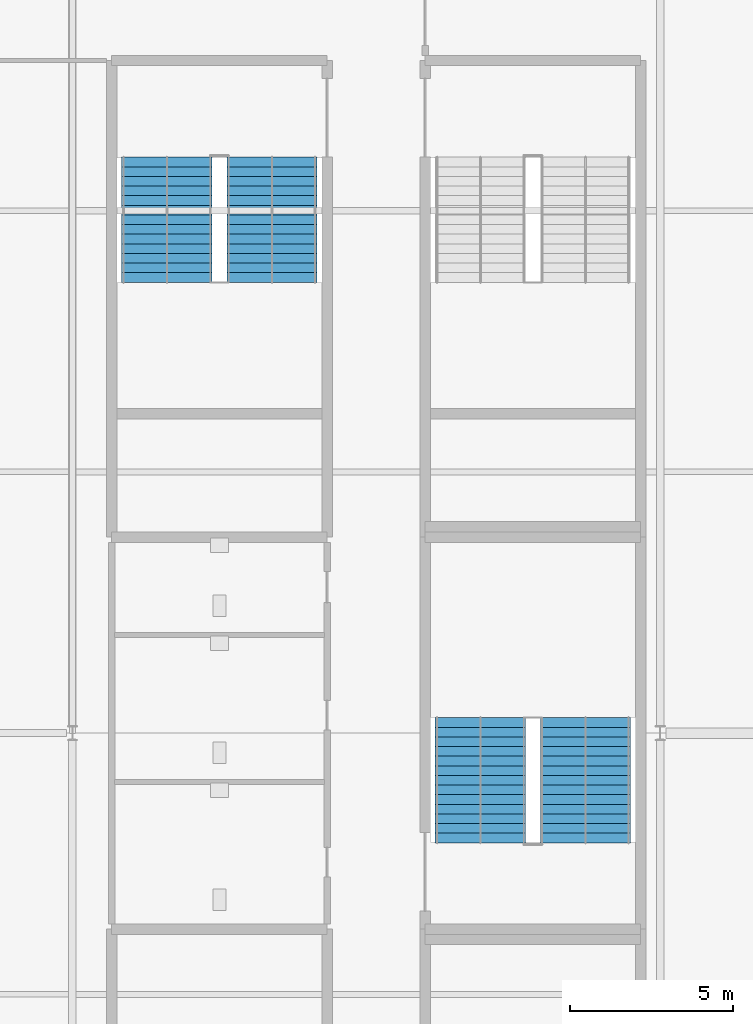
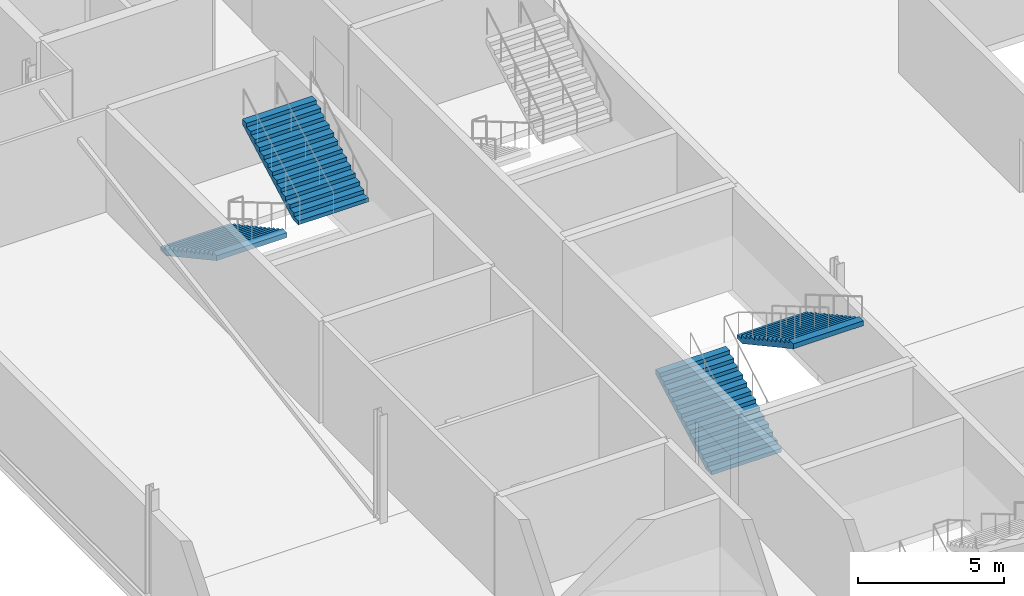
# One storey, part 61 of 73: 4 stair flights, 2 elements without a shape of their own.
"""IFC4 building model written with IfcOpenShell, lengths in metres."""

from ifc_helpers import new_model, si_unit, direction, frame, origin, place, context, subcontext, project, spatial, polygons, material, type_object, element, aggregate, save


model = new_model("IFC4")

# Units and contexts
model_context = context("Model", 3, precision=1e-05, world=origin(), true_north=direction((0.0, 1.0)))
body_context = subcontext(model_context, "Body", "Model", "MODEL_VIEW")
ifc_project = project(units=[si_unit("LENGTHUNIT", "METRE"), si_unit("AREAUNIT", "SQUARE_METRE"), si_unit("VOLUMEUNIT", "CUBIC_METRE"), si_unit("PLANEANGLEUNIT", "RADIAN"), si_unit("MASSUNIT", "GRAM", prefix="KILO")], contexts=[model_context])

# Site, building, storey
site_placement = place(None, origin())
site = spatial("IfcSite", under=ifc_project, at=site_placement, CompositionType="ELEMENT")
building_placement = place(site_placement, origin())
building = spatial("IfcBuilding", under=site, at=building_placement, Name="Kisiwana Market Hall", CompositionType="ELEMENT")
storey_placement = place(building_placement, frame((0.0, 0.0, 33.300048828125)))
storey = spatial("IfcBuildingStorey", under=building, at=storey_placement, Name="L07", CompositionType="ELEMENT", Elevation=33.300048828125)

# Stair, stair flights
ifc_material_1 = material(Name="Concrete C32/40", Category="concrete")
stair_type = type_object("IfcStairType", Name="ST-ESC-4500", PredefinedType="TWO_STRAIGHT_RUN_STAIR", material=ifc_material_1)
stair_1_placement = place(storey_placement, origin())
stair_1 = element("IfcStair", 1, at=stair_1_placement, inside=storey, type_object=stair_type, Name="Escape stair ST-W4-L07", PredefinedType="TWO_STRAIGHT_RUN_STAIR")
ifc_material_2 = material(Name="Concrete C32/40", Category="concrete")
stair_flight_type = type_object("IfcStairFlightType", Name="SF-ESC-4500", PredefinedType="STRAIGHT", material=ifc_material_2)
stair_flight_1_placement = place(storey_placement, frame((11.889892578125, 77.639892578125, 0.0), z_axis=(0.0, 0.0, 1.0), x_axis=(0.0, -1.0, 0.0)))
stair_flight_1 = element("IfcStairFlight", 2, at=stair_flight_1_placement, type_object=stair_flight_type, Name="ST-W4-L07 flight 1", NumberOfRisers=14, NumberOfTreads=13, PredefinedType="STRAIGHT", RiserHeight=0.160714, TreadLength=0.295, context=body_context, shape_type="Tessellation", body=[
    polygons([(0.0, -1.380127, 0.0), (0.0, -0.690125, 0.0), (0.0, -0.000122, 0.0), (0.0, 0.68988, 0.0), (0.0, 1.379883, 0.0), (0.0, -1.380127, 0.160645), (0.0, -0.690125, 0.160645), (0.0, -0.000122, 0.160645), (0.0, 0.68988, 0.160645), (0.0, 1.379883, 0.160645), (0.294922, -1.380127, 0.160645), (0.294922, -0.690125, 0.160645), (0.294922, -0.000122, 0.160645), (0.294922, 0.68988, 0.160645), (0.294922, 1.379883, 0.160645), (0.294922, -1.380127, 0.321533), (0.294922, -0.690125, 0.321533), (0.294922, -0.000122, 0.321533), (0.294922, 0.68988, 0.321533), (0.294922, 1.379883, 0.321533), (0.590088, -1.380127, 0.321533), (0.590088, -0.690125, 0.321533), (0.590088, -0.000122, 0.321533), (0.590088, 0.68988, 0.321533), (0.590088, 1.379883, 0.321533), (0.590088, -1.380127, 0.482178), (0.590088, -0.690125, 0.482178), (0.590088, -0.000122, 0.482178), (0.590088, 0.68988, 0.482178), (0.590088, 1.379883, 0.482178), (0.88501, -1.380127, 0.482178), (0.88501, -0.690125, 0.482178), (0.88501, -0.000122, 0.482178), (0.88501, 0.68988, 0.482178), (0.88501, 1.379883, 0.482178), (0.88501, -1.380127, 0.642822), (0.88501, -0.690125, 0.642822), (0.88501, -0.000122, 0.642822), (0.88501, 0.68988, 0.642822), (0.88501, 1.379883, 0.642822), (1.179932, -1.380127, 0.642822), (1.179932, -0.690125, 0.642822), (1.179932, -0.000122, 0.642822), (1.179932, 0.68988, 0.642822), (1.179932, 1.379883, 0.642822), (1.179932, -1.380127, 0.803467), (1.179932, -0.690125, 0.803467), (1.179932, -0.000122, 0.803467), (1.179932, 0.68988, 0.803467), (1.179932, 1.379883, 0.803467), (1.475098, -1.380127, 0.803467), (1.475098, -0.690125, 0.803467), (1.475098, -0.000122, 0.803467), (1.475098, 0.68988, 0.803467), (1.475098, 1.379883, 0.803467), (1.475098, -1.380127, 0.964355), (1.475098, -0.690125, 0.964355), (1.475098, -0.000122, 0.964355), (1.475098, 0.68988, 0.964355), (1.475098, 1.379883, 0.964355), (1.77002, -1.380127, 0.964355), (1.77002, -0.690125, 0.964355), (1.77002, -0.000122, 0.964355), (1.77002, 0.68988, 0.964355), (1.77002, 1.379883, 0.964355), (1.77002, -1.380127, 1.125), (1.77002, -0.690125, 1.125), (1.77002, -0.000122, 1.125), (1.77002, 0.68988, 1.125), (1.77002, 1.379883, 1.125), (2.064941, -1.380127, 1.125), (2.064941, -0.690125, 1.125), (2.064941, -0.000122, 1.125), (2.064941, 0.68988, 1.125), (2.064941, 1.379883, 1.125), (2.064941, -1.380127, 1.285645), (2.064941, -0.690125, 1.285645), (2.064941, -0.000122, 1.285645), (2.064941, 0.68988, 1.285645), (2.064941, 1.379883, 1.285645), (2.360107, -1.380127, 1.285645), (2.360107, -0.690125, 1.285645), (2.360107, -0.000122, 1.285645), (2.360107, 0.68988, 1.285645), (2.360107, 1.379883, 1.285645), (2.360107, -1.380127, 1.446533), (2.360107, -0.690125, 1.446533), (2.360107, -0.000122, 1.446533), (2.360107, 0.68988, 1.446533), (2.360107, 1.379883, 1.446533), (2.655029, -1.380127, 1.446533), (2.655029, -0.690125, 1.446533), (2.655029, -0.000122, 1.446533), (2.655029, 0.68988, 1.446533), (2.655029, 1.379883, 1.446533), (2.655029, -1.380127, 1.607178), (2.655029, -0.690125, 1.607178), (2.655029, -0.000122, 1.607178), (2.655029, 0.68988, 1.607178), (2.655029, 1.379883, 1.607178), (2.949951, -1.380127, 1.607178), (2.949951, -0.690125, 1.607178), (2.949951, -0.000122, 1.607178), (2.949951, 0.68988, 1.607178), (2.949951, 1.379883, 1.607178), (2.949951, -1.380127, 1.767822), (2.949951, -0.690125, 1.767822), (2.949951, -0.000122, 1.767822), (2.949951, 0.68988, 1.767822), (2.949951, 1.379883, 1.767822), (3.245117, -1.380127, 1.767822), (3.245117, -0.690125, 1.767822), (3.245117, -0.000122, 1.767822), (3.245117, 0.68988, 1.767822), (3.245117, 1.379883, 1.767822), (3.245117, -1.380127, 1.928467), (3.245117, -0.690125, 1.928467), (3.245117, -0.000122, 1.928467), (3.245117, 0.68988, 1.928467), (3.245117, 1.379883, 1.928467), (3.540039, -1.380127, 1.928467), (3.540039, -0.690125, 1.928467), (3.540039, -0.000122, 1.928467), (3.540039, 0.68988, 1.928467), (3.540039, 1.379883, 1.928467), (3.540039, -1.380127, 2.089355), (3.540039, -0.690125, 2.089355), (3.540039, -0.000122, 2.089355), (3.540039, 0.68988, 2.089355), (3.540039, 1.379883, 2.089355), (3.834961, -1.380127, 2.089355), (3.834961, -0.690125, 2.089355), (3.834961, -0.000122, 2.089355), (3.834961, 0.68988, 2.089355), (3.834961, 1.379883, 2.089355), (3.834961, -1.380127, 1.884277), (3.834961, -0.690125, 1.884277), (3.834961, -0.000122, 1.884277), (3.834961, 0.68988, 1.884277), (3.834961, 1.379883, 1.884277), (0.376221, -1.380127, 0.0), (0.376221, -0.690125, 0.0), (0.376221, -0.000122, 0.0), (0.376221, 0.68988, 0.0), (0.376221, 1.379883, 0.0)], [[[1, 6, 7, 2]], [[2, 7, 8, 3]], [[3, 8, 9, 4]], [[4, 9, 10, 5]], [[6, 11, 12, 7]], [[7, 12, 13, 8]], [[8, 13, 14, 9]], [[9, 14, 15, 10]], [[11, 16, 17, 12]], [[12, 17, 18, 13]], [[13, 18, 19, 14]], [[14, 19, 20, 15]], [[16, 21, 22, 17]], [[17, 22, 23, 18]], [[18, 23, 24, 19]], [[19, 24, 25, 20]], [[21, 26, 27, 22]], [[22, 27, 28, 23]], [[23, 28, 29, 24]], [[24, 29, 30, 25]], [[26, 31, 32, 27]], [[27, 32, 33, 28]], [[28, 33, 34, 29]], [[29, 34, 35, 30]], [[31, 36, 37, 32]], [[32, 37, 38, 33]], [[33, 38, 39, 34]], [[34, 39, 40, 35]], [[36, 41, 42, 37]], [[37, 42, 43, 38]], [[38, 43, 44, 39]], [[39, 44, 45, 40]], [[41, 46, 47, 42]], [[42, 47, 48, 43]], [[43, 48, 49, 44]], [[44, 49, 50, 45]], [[46, 51, 52, 47]], [[47, 52, 53, 48]], [[48, 53, 54, 49]], [[49, 54, 55, 50]], [[51, 56, 57, 52]], [[52, 57, 58, 53]], [[53, 58, 59, 54]], [[54, 59, 60, 55]], [[56, 61, 62, 57]], [[57, 62, 63, 58]], [[58, 63, 64, 59]], [[59, 64, 65, 60]], [[61, 66, 67, 62]], [[62, 67, 68, 63]], [[63, 68, 69, 64]], [[64, 69, 70, 65]], [[66, 71, 72, 67]], [[67, 72, 73, 68]], [[68, 73, 74, 69]], [[69, 74, 75, 70]], [[71, 76, 77, 72]], [[72, 77, 78, 73]], [[73, 78, 79, 74]], [[74, 79, 80, 75]], [[76, 81, 82, 77]], [[77, 82, 83, 78]], [[78, 83, 84, 79]], [[79, 84, 85, 80]], [[81, 86, 87, 82]], [[82, 87, 88, 83]], [[83, 88, 89, 84]], [[84, 89, 90, 85]], [[86, 91, 92, 87]], [[87, 92, 93, 88]], [[88, 93, 94, 89]], [[89, 94, 95, 90]], [[91, 96, 97, 92]], [[92, 97, 98, 93]], [[93, 98, 99, 94]], [[94, 99, 100, 95]], [[96, 101, 102, 97]], [[97, 102, 103, 98]], [[98, 103, 104, 99]], [[99, 104, 105, 100]], [[101, 106, 107, 102]], [[102, 107, 108, 103]], [[103, 108, 109, 104]], [[104, 109, 110, 105]], [[106, 111, 112, 107]], [[107, 112, 113, 108]], [[108, 113, 114, 109]], [[109, 114, 115, 110]], [[111, 116, 117, 112]], [[112, 117, 118, 113]], [[113, 118, 119, 114]], [[114, 119, 120, 115]], [[116, 121, 122, 117]], [[117, 122, 123, 118]], [[118, 123, 124, 119]], [[119, 124, 125, 120]], [[121, 126, 127, 122]], [[122, 127, 128, 123]], [[123, 128, 129, 124]], [[124, 129, 130, 125]], [[126, 131, 132, 127]], [[127, 132, 133, 128]], [[128, 133, 134, 129]], [[129, 134, 135, 130]], [[131, 136, 137, 132]], [[132, 137, 138, 133]], [[133, 138, 139, 134]], [[134, 139, 140, 135]], [[136, 141, 142, 137]], [[137, 142, 143, 138]], [[138, 143, 144, 139]], [[139, 144, 145, 140]], [[141, 1, 2, 142]], [[142, 2, 3, 143]], [[143, 3, 4, 144]], [[144, 4, 5, 145]], [[141, 136, 131, 126, 121, 116, 111, 106, 101, 96, 91, 86, 81, 76, 71, 66, 61, 56, 51, 46, 41, 36, 31, 26, 21, 16, 11, 6, 1]], [[5, 10, 15, 20, 25, 30, 35, 40, 45, 50, 55, 60, 65, 70, 75, 80, 85, 90, 95, 100, 105, 110, 115, 120, 125, 130, 135, 140, 145]]], closed=True),
])
stair_flight_2_placement = place(storey_placement, frame((15.110107421875, 73.804931640625, 2.25), z_axis=(0.0, 0.0, 1.0), x_axis=(0.0, 1.0, 0.0)))
stair_flight_2 = element("IfcStairFlight", 3, at=stair_flight_2_placement, type_object=stair_flight_type, Name="ST-W4-L07 flight 2", NumberOfRisers=14, NumberOfTreads=13, PredefinedType="STRAIGHT", RiserHeight=0.160714, TreadLength=0.295, context=body_context, shape_type="Tessellation", body=[
    polygons([(0.0, -1.380127, 0.0), (0.0, -0.690125, 0.0), (0.0, -0.000122, 0.0), (0.0, 0.68988, 0.0), (0.0, 1.379883, 0.0), (0.0, -1.380127, 0.160645), (0.0, -0.690125, 0.160645), (0.0, -0.000122, 0.160645), (0.0, 0.68988, 0.160645), (0.0, 1.379883, 0.160645), (0.294922, -1.380127, 0.160645), (0.294922, -0.690125, 0.160645), (0.294922, -0.000122, 0.160645), (0.294922, 0.68988, 0.160645), (0.294922, 1.379883, 0.160645), (0.294922, -1.380127, 0.321533), (0.294922, -0.690125, 0.321533), (0.294922, -0.000122, 0.321533), (0.294922, 0.68988, 0.321533), (0.294922, 1.379883, 0.321533), (0.590088, -1.380127, 0.321533), (0.590088, -0.690125, 0.321533), (0.590088, -0.000122, 0.321533), (0.590088, 0.68988, 0.321533), (0.590088, 1.379883, 0.321533), (0.590088, -1.380127, 0.482178), (0.590088, -0.690125, 0.482178), (0.590088, -0.000122, 0.482178), (0.590088, 0.68988, 0.482178), (0.590088, 1.379883, 0.482178), (0.88501, -1.380127, 0.482178), (0.88501, -0.690125, 0.482178), (0.88501, -0.000122, 0.482178), (0.88501, 0.68988, 0.482178), (0.88501, 1.379883, 0.482178), (0.88501, -1.380127, 0.642822), (0.88501, -0.690125, 0.642822), (0.88501, -0.000122, 0.642822), (0.88501, 0.68988, 0.642822), (0.88501, 1.379883, 0.642822), (1.179932, -1.380127, 0.642822), (1.179932, -0.690125, 0.642822), (1.179932, -0.000122, 0.642822), (1.179932, 0.68988, 0.642822), (1.179932, 1.379883, 0.642822), (1.179932, -1.380127, 0.803467), (1.179932, -0.690125, 0.803467), (1.179932, -0.000122, 0.803467), (1.179932, 0.68988, 0.803467), (1.179932, 1.379883, 0.803467), (1.475098, -1.380127, 0.803467), (1.475098, -0.690125, 0.803467), (1.475098, -0.000122, 0.803467), (1.475098, 0.68988, 0.803467), (1.475098, 1.379883, 0.803467), (1.475098, -1.380127, 0.964355), (1.475098, -0.690125, 0.964355), (1.475098, -0.000122, 0.964355), (1.475098, 0.68988, 0.964355), (1.475098, 1.379883, 0.964355), (1.77002, -1.380127, 0.964355), (1.77002, -0.690125, 0.964355), (1.77002, -0.000122, 0.964355), (1.77002, 0.68988, 0.964355), (1.77002, 1.379883, 0.964355), (1.77002, -1.380127, 1.125), (1.77002, -0.690125, 1.125), (1.77002, -0.000122, 1.125), (1.77002, 0.68988, 1.125), (1.77002, 1.379883, 1.125), (2.064941, -1.380127, 1.125), (2.064941, -0.690125, 1.125), (2.064941, -0.000122, 1.125), (2.064941, 0.68988, 1.125), (2.064941, 1.379883, 1.125), (2.064941, -1.380127, 1.285645), (2.064941, -0.690125, 1.285645), (2.064941, -0.000122, 1.285645), (2.064941, 0.68988, 1.285645), (2.064941, 1.379883, 1.285645), (2.360107, -1.380127, 1.285645), (2.360107, -0.690125, 1.285645), (2.360107, -0.000122, 1.285645), (2.360107, 0.68988, 1.285645), (2.360107, 1.379883, 1.285645), (2.360107, -1.380127, 1.446533), (2.360107, -0.690125, 1.446533), (2.360107, -0.000122, 1.446533), (2.360107, 0.68988, 1.446533), (2.360107, 1.379883, 1.446533), (2.655029, -1.380127, 1.446533), (2.655029, -0.690125, 1.446533), (2.655029, -0.000122, 1.446533), (2.655029, 0.68988, 1.446533), (2.655029, 1.379883, 1.446533), (2.655029, -1.380127, 1.607178), (2.655029, -0.690125, 1.607178), (2.655029, -0.000122, 1.607178), (2.655029, 0.68988, 1.607178), (2.655029, 1.379883, 1.607178), (2.949951, -1.380127, 1.607178), (2.949951, -0.690125, 1.607178), (2.949951, -0.000122, 1.607178), (2.949951, 0.68988, 1.607178), (2.949951, 1.379883, 1.607178), (2.949951, -1.380127, 1.767822), (2.949951, -0.690125, 1.767822), (2.949951, -0.000122, 1.767822), (2.949951, 0.68988, 1.767822), (2.949951, 1.379883, 1.767822), (3.245117, -1.380127, 1.767822), (3.245117, -0.690125, 1.767822), (3.245117, -0.000122, 1.767822), (3.245117, 0.68988, 1.767822), (3.245117, 1.379883, 1.767822), (3.245117, -1.380127, 1.928467), (3.245117, -0.690125, 1.928467), (3.245117, -0.000122, 1.928467), (3.245117, 0.68988, 1.928467), (3.245117, 1.379883, 1.928467), (3.540039, -1.380127, 1.928467), (3.540039, -0.690125, 1.928467), (3.540039, -0.000122, 1.928467), (3.540039, 0.68988, 1.928467), (3.540039, 1.379883, 1.928467), (3.540039, -1.380127, 2.089355), (3.540039, -0.690125, 2.089355), (3.540039, -0.000122, 2.089355), (3.540039, 0.68988, 2.089355), (3.540039, 1.379883, 2.089355), (3.834961, -1.380127, 2.089355), (3.834961, -0.690125, 2.089355), (3.834961, -0.000122, 2.089355), (3.834961, 0.68988, 2.089355), (3.834961, 1.379883, 2.089355), (3.834961, -1.380127, 1.884277), (3.834961, -0.690125, 1.884277), (3.834961, -0.000122, 1.884277), (3.834961, 0.68988, 1.884277), (3.834961, 1.379883, 1.884277), (0.376221, -1.380127, 0.0), (0.376221, -0.690125, 0.0), (0.376221, -0.000122, 0.0), (0.376221, 0.68988, 0.0), (0.376221, 1.379883, 0.0)], [[[1, 6, 7, 2]], [[2, 7, 8, 3]], [[3, 8, 9, 4]], [[4, 9, 10, 5]], [[6, 11, 12, 7]], [[7, 12, 13, 8]], [[8, 13, 14, 9]], [[9, 14, 15, 10]], [[11, 16, 17, 12]], [[12, 17, 18, 13]], [[13, 18, 19, 14]], [[14, 19, 20, 15]], [[16, 21, 22, 17]], [[17, 22, 23, 18]], [[18, 23, 24, 19]], [[19, 24, 25, 20]], [[21, 26, 27, 22]], [[22, 27, 28, 23]], [[23, 28, 29, 24]], [[24, 29, 30, 25]], [[26, 31, 32, 27]], [[27, 32, 33, 28]], [[28, 33, 34, 29]], [[29, 34, 35, 30]], [[31, 36, 37, 32]], [[32, 37, 38, 33]], [[33, 38, 39, 34]], [[34, 39, 40, 35]], [[36, 41, 42, 37]], [[37, 42, 43, 38]], [[38, 43, 44, 39]], [[39, 44, 45, 40]], [[41, 46, 47, 42]], [[42, 47, 48, 43]], [[43, 48, 49, 44]], [[44, 49, 50, 45]], [[46, 51, 52, 47]], [[47, 52, 53, 48]], [[48, 53, 54, 49]], [[49, 54, 55, 50]], [[51, 56, 57, 52]], [[52, 57, 58, 53]], [[53, 58, 59, 54]], [[54, 59, 60, 55]], [[56, 61, 62, 57]], [[57, 62, 63, 58]], [[58, 63, 64, 59]], [[59, 64, 65, 60]], [[61, 66, 67, 62]], [[62, 67, 68, 63]], [[63, 68, 69, 64]], [[64, 69, 70, 65]], [[66, 71, 72, 67]], [[67, 72, 73, 68]], [[68, 73, 74, 69]], [[69, 74, 75, 70]], [[71, 76, 77, 72]], [[72, 77, 78, 73]], [[73, 78, 79, 74]], [[74, 79, 80, 75]], [[76, 81, 82, 77]], [[77, 82, 83, 78]], [[78, 83, 84, 79]], [[79, 84, 85, 80]], [[81, 86, 87, 82]], [[82, 87, 88, 83]], [[83, 88, 89, 84]], [[84, 89, 90, 85]], [[86, 91, 92, 87]], [[87, 92, 93, 88]], [[88, 93, 94, 89]], [[89, 94, 95, 90]], [[91, 96, 97, 92]], [[92, 97, 98, 93]], [[93, 98, 99, 94]], [[94, 99, 100, 95]], [[96, 101, 102, 97]], [[97, 102, 103, 98]], [[98, 103, 104, 99]], [[99, 104, 105, 100]], [[101, 106, 107, 102]], [[102, 107, 108, 103]], [[103, 108, 109, 104]], [[104, 109, 110, 105]], [[106, 111, 112, 107]], [[107, 112, 113, 108]], [[108, 113, 114, 109]], [[109, 114, 115, 110]], [[111, 116, 117, 112]], [[112, 117, 118, 113]], [[113, 118, 119, 114]], [[114, 119, 120, 115]], [[116, 121, 122, 117]], [[117, 122, 123, 118]], [[118, 123, 124, 119]], [[119, 124, 125, 120]], [[121, 126, 127, 122]], [[122, 127, 128, 123]], [[123, 128, 129, 124]], [[124, 129, 130, 125]], [[126, 131, 132, 127]], [[127, 132, 133, 128]], [[128, 133, 134, 129]], [[129, 134, 135, 130]], [[131, 136, 137, 132]], [[132, 137, 138, 133]], [[133, 138, 139, 134]], [[134, 139, 140, 135]], [[136, 141, 142, 137]], [[137, 142, 143, 138]], [[138, 143, 144, 139]], [[139, 144, 145, 140]], [[141, 1, 2, 142]], [[142, 2, 3, 143]], [[143, 3, 4, 144]], [[144, 4, 5, 145]], [[141, 136, 131, 126, 121, 116, 111, 106, 101, 96, 91, 86, 81, 76, 71, 66, 61, 56, 51, 46, 41, 36, 31, 26, 21, 16, 11, 6, 1]], [[5, 10, 15, 20, 25, 30, 35, 40, 45, 50, 55, 60, 65, 70, 75, 80, 85, 90, 95, 100, 105, 110, 115, 120, 125, 130, 135, 140, 145]]], closed=True),
])
aggregate(stair_1, [stair_flight_1, stair_flight_2])

stair_2_placement = place(storey_placement, origin())
stair_2 = element("IfcStair", 4, at=stair_2_placement, inside=storey, type_object=stair_type, Name="Escape stair ST-W5-L07", PredefinedType="TWO_STRAIGHT_RUN_STAIR")
stair_flight_3_placement = place(storey_placement, frame((21.489990234375, 56.639892578125, 0.0), z_axis=(0.0, 0.0, 1.0), x_axis=(0.0, 1.0, 0.0)))
stair_flight_3 = element("IfcStairFlight", 5, at=stair_flight_3_placement, type_object=stair_flight_type, Name="ST-W5-L07 flight 1", NumberOfRisers=14, NumberOfTreads=13, PredefinedType="STRAIGHT", RiserHeight=0.160714, TreadLength=0.295, context=body_context, shape_type="Tessellation", body=[
    polygons([(0.0, -1.380127, 0.0), (0.0, -0.690125, 0.0), (0.0, -0.000122, 0.0), (0.0, 0.68988, 0.0), (0.0, 1.379883, 0.0), (0.0, -1.380127, 0.160645), (0.0, -0.690125, 0.160645), (0.0, -0.000122, 0.160645), (0.0, 0.68988, 0.160645), (0.0, 1.379883, 0.160645), (0.294922, -1.380127, 0.160645), (0.294922, -0.690125, 0.160645), (0.294922, -0.000122, 0.160645), (0.294922, 0.68988, 0.160645), (0.294922, 1.379883, 0.160645), (0.294922, -1.380127, 0.321533), (0.294922, -0.690125, 0.321533), (0.294922, -0.000122, 0.321533), (0.294922, 0.68988, 0.321533), (0.294922, 1.379883, 0.321533), (0.590088, -1.380127, 0.321533), (0.590088, -0.690125, 0.321533), (0.590088, -0.000122, 0.321533), (0.590088, 0.68988, 0.321533), (0.590088, 1.379883, 0.321533), (0.590088, -1.380127, 0.482178), (0.590088, -0.690125, 0.482178), (0.590088, -0.000122, 0.482178), (0.590088, 0.68988, 0.482178), (0.590088, 1.379883, 0.482178), (0.88501, -1.380127, 0.482178), (0.88501, -0.690125, 0.482178), (0.88501, -0.000122, 0.482178), (0.88501, 0.68988, 0.482178), (0.88501, 1.379883, 0.482178), (0.88501, -1.380127, 0.642822), (0.88501, -0.690125, 0.642822), (0.88501, -0.000122, 0.642822), (0.88501, 0.68988, 0.642822), (0.88501, 1.379883, 0.642822), (1.179932, -1.380127, 0.642822), (1.179932, -0.690125, 0.642822), (1.179932, -0.000122, 0.642822), (1.179932, 0.68988, 0.642822), (1.179932, 1.379883, 0.642822), (1.179932, -1.380127, 0.803467), (1.179932, -0.690125, 0.803467), (1.179932, -0.000122, 0.803467), (1.179932, 0.68988, 0.803467), (1.179932, 1.379883, 0.803467), (1.475098, -1.380127, 0.803467), (1.475098, -0.690125, 0.803467), (1.475098, -0.000122, 0.803467), (1.475098, 0.68988, 0.803467), (1.475098, 1.379883, 0.803467), (1.475098, -1.380127, 0.964355), (1.475098, -0.690125, 0.964355), (1.475098, -0.000122, 0.964355), (1.475098, 0.68988, 0.964355), (1.475098, 1.379883, 0.964355), (1.77002, -1.380127, 0.964355), (1.77002, -0.690125, 0.964355), (1.77002, -0.000122, 0.964355), (1.77002, 0.68988, 0.964355), (1.77002, 1.379883, 0.964355), (1.77002, -1.380127, 1.125), (1.77002, -0.690125, 1.125), (1.77002, -0.000122, 1.125), (1.77002, 0.68988, 1.125), (1.77002, 1.379883, 1.125), (2.064941, -1.380127, 1.125), (2.064941, -0.690125, 1.125), (2.064941, -0.000122, 1.125), (2.064941, 0.68988, 1.125), (2.064941, 1.379883, 1.125), (2.064941, -1.380127, 1.285645), (2.064941, -0.690125, 1.285645), (2.064941, -0.000122, 1.285645), (2.064941, 0.68988, 1.285645), (2.064941, 1.379883, 1.285645), (2.360107, -1.380127, 1.285645), (2.360107, -0.690125, 1.285645), (2.360107, -0.000122, 1.285645), (2.360107, 0.68988, 1.285645), (2.360107, 1.379883, 1.285645), (2.360107, -1.380127, 1.446533), (2.360107, -0.690125, 1.446533), (2.360107, -0.000122, 1.446533), (2.360107, 0.68988, 1.446533), (2.360107, 1.379883, 1.446533), (2.655029, -1.380127, 1.446533), (2.655029, -0.690125, 1.446533), (2.655029, -0.000122, 1.446533), (2.655029, 0.68988, 1.446533), (2.655029, 1.379883, 1.446533), (2.655029, -1.380127, 1.607178), (2.655029, -0.690125, 1.607178), (2.655029, -0.000122, 1.607178), (2.655029, 0.68988, 1.607178), (2.655029, 1.379883, 1.607178), (2.949951, -1.380127, 1.607178), (2.949951, -0.690125, 1.607178), (2.949951, -0.000122, 1.607178), (2.949951, 0.68988, 1.607178), (2.949951, 1.379883, 1.607178), (2.949951, -1.380127, 1.767822), (2.949951, -0.690125, 1.767822), (2.949951, -0.000122, 1.767822), (2.949951, 0.68988, 1.767822), (2.949951, 1.379883, 1.767822), (3.245117, -1.380127, 1.767822), (3.245117, -0.690125, 1.767822), (3.245117, -0.000122, 1.767822), (3.245117, 0.68988, 1.767822), (3.245117, 1.379883, 1.767822), (3.245117, -1.380127, 1.928467), (3.245117, -0.690125, 1.928467), (3.245117, -0.000122, 1.928467), (3.245117, 0.68988, 1.928467), (3.245117, 1.379883, 1.928467), (3.540039, -1.380127, 1.928467), (3.540039, -0.690125, 1.928467), (3.540039, -0.000122, 1.928467), (3.540039, 0.68988, 1.928467), (3.540039, 1.379883, 1.928467), (3.540039, -1.380127, 2.089355), (3.540039, -0.690125, 2.089355), (3.540039, -0.000122, 2.089355), (3.540039, 0.68988, 2.089355), (3.540039, 1.379883, 2.089355), (3.834961, -1.380127, 2.089355), (3.834961, -0.690125, 2.089355), (3.834961, -0.000122, 2.089355), (3.834961, 0.68988, 2.089355), (3.834961, 1.379883, 2.089355), (3.834961, -1.380127, 1.884277), (3.834961, -0.690125, 1.884277), (3.834961, -0.000122, 1.884277), (3.834961, 0.68988, 1.884277), (3.834961, 1.379883, 1.884277), (0.376221, -1.380127, 0.0), (0.376221, -0.690125, 0.0), (0.376221, -0.000122, 0.0), (0.376221, 0.68988, 0.0), (0.376221, 1.379883, 0.0)], [[[1, 6, 7, 2]], [[2, 7, 8, 3]], [[3, 8, 9, 4]], [[4, 9, 10, 5]], [[6, 11, 12, 7]], [[7, 12, 13, 8]], [[8, 13, 14, 9]], [[9, 14, 15, 10]], [[11, 16, 17, 12]], [[12, 17, 18, 13]], [[13, 18, 19, 14]], [[14, 19, 20, 15]], [[16, 21, 22, 17]], [[17, 22, 23, 18]], [[18, 23, 24, 19]], [[19, 24, 25, 20]], [[21, 26, 27, 22]], [[22, 27, 28, 23]], [[23, 28, 29, 24]], [[24, 29, 30, 25]], [[26, 31, 32, 27]], [[27, 32, 33, 28]], [[28, 33, 34, 29]], [[29, 34, 35, 30]], [[31, 36, 37, 32]], [[32, 37, 38, 33]], [[33, 38, 39, 34]], [[34, 39, 40, 35]], [[36, 41, 42, 37]], [[37, 42, 43, 38]], [[38, 43, 44, 39]], [[39, 44, 45, 40]], [[41, 46, 47, 42]], [[42, 47, 48, 43]], [[43, 48, 49, 44]], [[44, 49, 50, 45]], [[46, 51, 52, 47]], [[47, 52, 53, 48]], [[48, 53, 54, 49]], [[49, 54, 55, 50]], [[51, 56, 57, 52]], [[52, 57, 58, 53]], [[53, 58, 59, 54]], [[54, 59, 60, 55]], [[56, 61, 62, 57]], [[57, 62, 63, 58]], [[58, 63, 64, 59]], [[59, 64, 65, 60]], [[61, 66, 67, 62]], [[62, 67, 68, 63]], [[63, 68, 69, 64]], [[64, 69, 70, 65]], [[66, 71, 72, 67]], [[67, 72, 73, 68]], [[68, 73, 74, 69]], [[69, 74, 75, 70]], [[71, 76, 77, 72]], [[72, 77, 78, 73]], [[73, 78, 79, 74]], [[74, 79, 80, 75]], [[76, 81, 82, 77]], [[77, 82, 83, 78]], [[78, 83, 84, 79]], [[79, 84, 85, 80]], [[81, 86, 87, 82]], [[82, 87, 88, 83]], [[83, 88, 89, 84]], [[84, 89, 90, 85]], [[86, 91, 92, 87]], [[87, 92, 93, 88]], [[88, 93, 94, 89]], [[89, 94, 95, 90]], [[91, 96, 97, 92]], [[92, 97, 98, 93]], [[93, 98, 99, 94]], [[94, 99, 100, 95]], [[96, 101, 102, 97]], [[97, 102, 103, 98]], [[98, 103, 104, 99]], [[99, 104, 105, 100]], [[101, 106, 107, 102]], [[102, 107, 108, 103]], [[103, 108, 109, 104]], [[104, 109, 110, 105]], [[106, 111, 112, 107]], [[107, 112, 113, 108]], [[108, 113, 114, 109]], [[109, 114, 115, 110]], [[111, 116, 117, 112]], [[112, 117, 118, 113]], [[113, 118, 119, 114]], [[114, 119, 120, 115]], [[116, 121, 122, 117]], [[117, 122, 123, 118]], [[118, 123, 124, 119]], [[119, 124, 125, 120]], [[121, 126, 127, 122]], [[122, 127, 128, 123]], [[123, 128, 129, 124]], [[124, 129, 130, 125]], [[126, 131, 132, 127]], [[127, 132, 133, 128]], [[128, 133, 134, 129]], [[129, 134, 135, 130]], [[131, 136, 137, 132]], [[132, 137, 138, 133]], [[133, 138, 139, 134]], [[134, 139, 140, 135]], [[136, 141, 142, 137]], [[137, 142, 143, 138]], [[138, 143, 144, 139]], [[139, 144, 145, 140]], [[141, 1, 2, 142]], [[142, 2, 3, 143]], [[143, 3, 4, 144]], [[144, 4, 5, 145]], [[141, 136, 131, 126, 121, 116, 111, 106, 101, 96, 91, 86, 81, 76, 71, 66, 61, 56, 51, 46, 41, 36, 31, 26, 21, 16, 11, 6, 1]], [[5, 10, 15, 20, 25, 30, 35, 40, 45, 50, 55, 60, 65, 70, 75, 80, 85, 90, 95, 100, 105, 110, 115, 120, 125, 130, 135, 140, 145]]], closed=True),
])
stair_flight_4_placement = place(storey_placement, frame((24.7099609375, 60.47509765625, 2.25), z_axis=(0.0, 0.0, 1.0), x_axis=(0.0, -1.0, 0.0)))
stair_flight_4 = element("IfcStairFlight", 6, at=stair_flight_4_placement, type_object=stair_flight_type, Name="ST-W5-L07 flight 2", NumberOfRisers=14, NumberOfTreads=13, PredefinedType="STRAIGHT", RiserHeight=0.160714, TreadLength=0.295, context=body_context, shape_type="Tessellation", body=[
    polygons([(0.0, -1.380127, 0.0), (0.0, -0.690125, 0.0), (0.0, -0.000122, 0.0), (0.0, 0.68988, 0.0), (0.0, 1.379883, 0.0), (0.0, -1.380127, 0.160645), (0.0, -0.690125, 0.160645), (0.0, -0.000122, 0.160645), (0.0, 0.68988, 0.160645), (0.0, 1.379883, 0.160645), (0.294922, -1.380127, 0.160645), (0.294922, -0.690125, 0.160645), (0.294922, -0.000122, 0.160645), (0.294922, 0.68988, 0.160645), (0.294922, 1.379883, 0.160645), (0.294922, -1.380127, 0.321533), (0.294922, -0.690125, 0.321533), (0.294922, -0.000122, 0.321533), (0.294922, 0.68988, 0.321533), (0.294922, 1.379883, 0.321533), (0.590088, -1.380127, 0.321533), (0.590088, -0.690125, 0.321533), (0.590088, -0.000122, 0.321533), (0.590088, 0.68988, 0.321533), (0.590088, 1.379883, 0.321533), (0.590088, -1.380127, 0.482178), (0.590088, -0.690125, 0.482178), (0.590088, -0.000122, 0.482178), (0.590088, 0.68988, 0.482178), (0.590088, 1.379883, 0.482178), (0.88501, -1.380127, 0.482178), (0.88501, -0.690125, 0.482178), (0.88501, -0.000122, 0.482178), (0.88501, 0.68988, 0.482178), (0.88501, 1.379883, 0.482178), (0.88501, -1.380127, 0.642822), (0.88501, -0.690125, 0.642822), (0.88501, -0.000122, 0.642822), (0.88501, 0.68988, 0.642822), (0.88501, 1.379883, 0.642822), (1.179932, -1.380127, 0.642822), (1.179932, -0.690125, 0.642822), (1.179932, -0.000122, 0.642822), (1.179932, 0.68988, 0.642822), (1.179932, 1.379883, 0.642822), (1.179932, -1.380127, 0.803467), (1.179932, -0.690125, 0.803467), (1.179932, -0.000122, 0.803467), (1.179932, 0.68988, 0.803467), (1.179932, 1.379883, 0.803467), (1.475098, -1.380127, 0.803467), (1.475098, -0.690125, 0.803467), (1.475098, -0.000122, 0.803467), (1.475098, 0.68988, 0.803467), (1.475098, 1.379883, 0.803467), (1.475098, -1.380127, 0.964355), (1.475098, -0.690125, 0.964355), (1.475098, -0.000122, 0.964355), (1.475098, 0.68988, 0.964355), (1.475098, 1.379883, 0.964355), (1.77002, -1.380127, 0.964355), (1.77002, -0.690125, 0.964355), (1.77002, -0.000122, 0.964355), (1.77002, 0.68988, 0.964355), (1.77002, 1.379883, 0.964355), (1.77002, -1.380127, 1.125), (1.77002, -0.690125, 1.125), (1.77002, -0.000122, 1.125), (1.77002, 0.68988, 1.125), (1.77002, 1.379883, 1.125), (2.064941, -1.380127, 1.125), (2.064941, -0.690125, 1.125), (2.064941, -0.000122, 1.125), (2.064941, 0.68988, 1.125), (2.064941, 1.379883, 1.125), (2.064941, -1.380127, 1.285645), (2.064941, -0.690125, 1.285645), (2.064941, -0.000122, 1.285645), (2.064941, 0.68988, 1.285645), (2.064941, 1.379883, 1.285645), (2.360107, -1.380127, 1.285645), (2.360107, -0.690125, 1.285645), (2.360107, -0.000122, 1.285645), (2.360107, 0.68988, 1.285645), (2.360107, 1.379883, 1.285645), (2.360107, -1.380127, 1.446533), (2.360107, -0.690125, 1.446533), (2.360107, -0.000122, 1.446533), (2.360107, 0.68988, 1.446533), (2.360107, 1.379883, 1.446533), (2.655029, -1.380127, 1.446533), (2.655029, -0.690125, 1.446533), (2.655029, -0.000122, 1.446533), (2.655029, 0.68988, 1.446533), (2.655029, 1.379883, 1.446533), (2.655029, -1.380127, 1.607178), (2.655029, -0.690125, 1.607178), (2.655029, -0.000122, 1.607178), (2.655029, 0.68988, 1.607178), (2.655029, 1.379883, 1.607178), (2.949951, -1.380127, 1.607178), (2.949951, -0.690125, 1.607178), (2.949951, -0.000122, 1.607178), (2.949951, 0.68988, 1.607178), (2.949951, 1.379883, 1.607178), (2.949951, -1.380127, 1.767822), (2.949951, -0.690125, 1.767822), (2.949951, -0.000122, 1.767822), (2.949951, 0.68988, 1.767822), (2.949951, 1.379883, 1.767822), (3.245117, -1.380127, 1.767822), (3.245117, -0.690125, 1.767822), (3.245117, -0.000122, 1.767822), (3.245117, 0.68988, 1.767822), (3.245117, 1.379883, 1.767822), (3.245117, -1.380127, 1.928467), (3.245117, -0.690125, 1.928467), (3.245117, -0.000122, 1.928467), (3.245117, 0.68988, 1.928467), (3.245117, 1.379883, 1.928467), (3.540039, -1.380127, 1.928467), (3.540039, -0.690125, 1.928467), (3.540039, -0.000122, 1.928467), (3.540039, 0.68988, 1.928467), (3.540039, 1.379883, 1.928467), (3.540039, -1.380127, 2.089355), (3.540039, -0.690125, 2.089355), (3.540039, -0.000122, 2.089355), (3.540039, 0.68988, 2.089355), (3.540039, 1.379883, 2.089355), (3.834961, -1.380127, 2.089355), (3.834961, -0.690125, 2.089355), (3.834961, -0.000122, 2.089355), (3.834961, 0.68988, 2.089355), (3.834961, 1.379883, 2.089355), (3.834961, -1.380127, 1.884277), (3.834961, -0.690125, 1.884277), (3.834961, -0.000122, 1.884277), (3.834961, 0.68988, 1.884277), (3.834961, 1.379883, 1.884277), (0.376221, -1.380127, 0.0), (0.376221, -0.690125, 0.0), (0.376221, -0.000122, 0.0), (0.376221, 0.68988, 0.0), (0.376221, 1.379883, 0.0)], [[[1, 6, 7, 2]], [[2, 7, 8, 3]], [[3, 8, 9, 4]], [[4, 9, 10, 5]], [[6, 11, 12, 7]], [[7, 12, 13, 8]], [[8, 13, 14, 9]], [[9, 14, 15, 10]], [[11, 16, 17, 12]], [[12, 17, 18, 13]], [[13, 18, 19, 14]], [[14, 19, 20, 15]], [[16, 21, 22, 17]], [[17, 22, 23, 18]], [[18, 23, 24, 19]], [[19, 24, 25, 20]], [[21, 26, 27, 22]], [[22, 27, 28, 23]], [[23, 28, 29, 24]], [[24, 29, 30, 25]], [[26, 31, 32, 27]], [[27, 32, 33, 28]], [[28, 33, 34, 29]], [[29, 34, 35, 30]], [[31, 36, 37, 32]], [[32, 37, 38, 33]], [[33, 38, 39, 34]], [[34, 39, 40, 35]], [[36, 41, 42, 37]], [[37, 42, 43, 38]], [[38, 43, 44, 39]], [[39, 44, 45, 40]], [[41, 46, 47, 42]], [[42, 47, 48, 43]], [[43, 48, 49, 44]], [[44, 49, 50, 45]], [[46, 51, 52, 47]], [[47, 52, 53, 48]], [[48, 53, 54, 49]], [[49, 54, 55, 50]], [[51, 56, 57, 52]], [[52, 57, 58, 53]], [[53, 58, 59, 54]], [[54, 59, 60, 55]], [[56, 61, 62, 57]], [[57, 62, 63, 58]], [[58, 63, 64, 59]], [[59, 64, 65, 60]], [[61, 66, 67, 62]], [[62, 67, 68, 63]], [[63, 68, 69, 64]], [[64, 69, 70, 65]], [[66, 71, 72, 67]], [[67, 72, 73, 68]], [[68, 73, 74, 69]], [[69, 74, 75, 70]], [[71, 76, 77, 72]], [[72, 77, 78, 73]], [[73, 78, 79, 74]], [[74, 79, 80, 75]], [[76, 81, 82, 77]], [[77, 82, 83, 78]], [[78, 83, 84, 79]], [[79, 84, 85, 80]], [[81, 86, 87, 82]], [[82, 87, 88, 83]], [[83, 88, 89, 84]], [[84, 89, 90, 85]], [[86, 91, 92, 87]], [[87, 92, 93, 88]], [[88, 93, 94, 89]], [[89, 94, 95, 90]], [[91, 96, 97, 92]], [[92, 97, 98, 93]], [[93, 98, 99, 94]], [[94, 99, 100, 95]], [[96, 101, 102, 97]], [[97, 102, 103, 98]], [[98, 103, 104, 99]], [[99, 104, 105, 100]], [[101, 106, 107, 102]], [[102, 107, 108, 103]], [[103, 108, 109, 104]], [[104, 109, 110, 105]], [[106, 111, 112, 107]], [[107, 112, 113, 108]], [[108, 113, 114, 109]], [[109, 114, 115, 110]], [[111, 116, 117, 112]], [[112, 117, 118, 113]], [[113, 118, 119, 114]], [[114, 119, 120, 115]], [[116, 121, 122, 117]], [[117, 122, 123, 118]], [[118, 123, 124, 119]], [[119, 124, 125, 120]], [[121, 126, 127, 122]], [[122, 127, 128, 123]], [[123, 128, 129, 124]], [[124, 129, 130, 125]], [[126, 131, 132, 127]], [[127, 132, 133, 128]], [[128, 133, 134, 129]], [[129, 134, 135, 130]], [[131, 136, 137, 132]], [[132, 137, 138, 133]], [[133, 138, 139, 134]], [[134, 139, 140, 135]], [[136, 141, 142, 137]], [[137, 142, 143, 138]], [[138, 143, 144, 139]], [[139, 144, 145, 140]], [[141, 1, 2, 142]], [[142, 2, 3, 143]], [[143, 3, 4, 144]], [[144, 4, 5, 145]], [[141, 136, 131, 126, 121, 116, 111, 106, 101, 96, 91, 86, 81, 76, 71, 66, 61, 56, 51, 46, 41, 36, 31, 26, 21, 16, 11, 6, 1]], [[5, 10, 15, 20, 25, 30, 35, 40, 45, 50, 55, 60, 65, 70, 75, 80, 85, 90, 95, 100, 105, 110, 115, 120, 125, 130, 135, 140, 145]]], closed=True),
])
aggregate(stair_2, [stair_flight_3, stair_flight_4])

save(model, "model.ifc")
